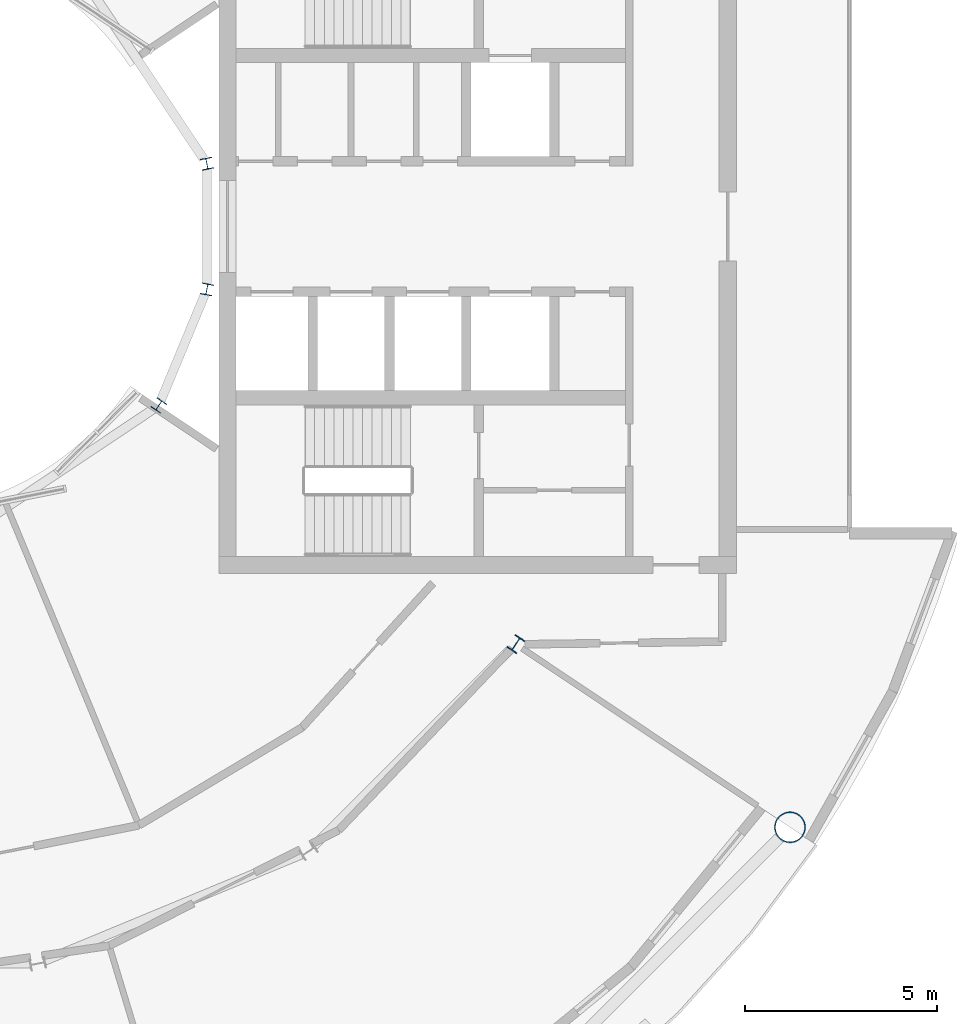
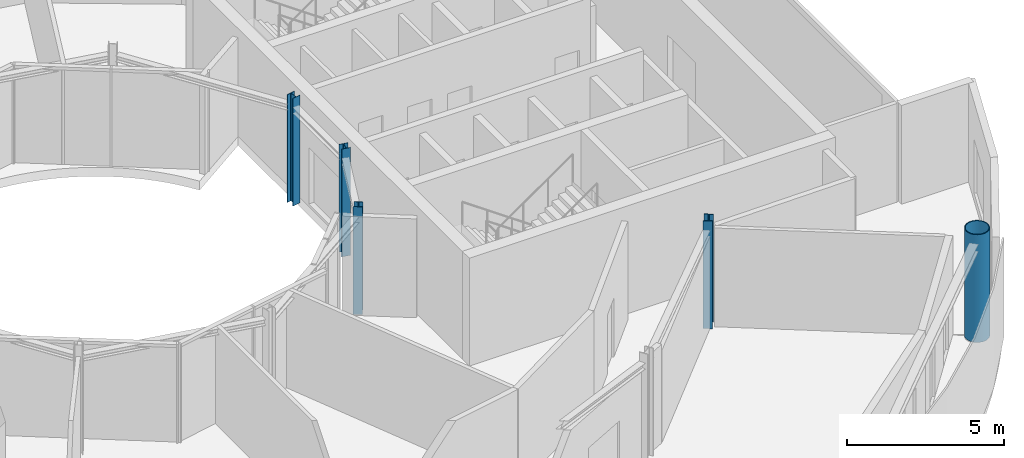
# One storey, part 3 of 22: 5 columns.
"""IFC4 building model written with IfcOpenShell, lengths in metres."""

from ifc_helpers import new_model, si_unit, direction, frame, origin, origin_2d, place, context, subcontext, project, spatial, hollow_circle, i_section, extrude, material, material_profile, profile_set, type_object, element, save


model = new_model("IFC4")

# Units and contexts
model_context = context("Model", 3, precision=1e-05, world=origin(), true_north=direction((0.0, 1.0)))
body_context = subcontext(model_context, "Body", "Model", "MODEL_VIEW")
ifc_project = project(units=[si_unit("LENGTHUNIT", "METRE"), si_unit("AREAUNIT", "SQUARE_METRE"), si_unit("VOLUMEUNIT", "CUBIC_METRE"), si_unit("PLANEANGLEUNIT", "RADIAN"), si_unit("MASSUNIT", "GRAM", prefix="KILO")], contexts=[model_context])

# Site, building, storey
site_placement = place(None, origin())
site = spatial("IfcSite", under=ifc_project, at=site_placement, CompositionType="ELEMENT")
building_placement = place(site_placement, origin())
building = spatial("IfcBuilding", under=site, at=building_placement, Name="Maasbend Ring Residences", CompositionType="ELEMENT")
storey_placement = place(building_placement, frame((0.0, 0.0, 208.5)))
storey = spatial("IfcBuildingStorey", under=building, at=storey_placement, Name="L60", CompositionType="ELEMENT", Elevation=208.5)

# Columns
ifc_material_1 = material(Name="Composite concrete-filled steel tube S460NH / C80/95", Category="concrete")
ifc_material_profile_1 = material_profile(ifc_material_1, hollow_circle(Radius=0.406494140625, WallThickness=0.030029296875, at=origin_2d()), Name="Composite tube column CHS 813x30")
ifc_profile_set_1 = profile_set([ifc_material_profile_1], Name="Composite concrete-filled steel tube S460NH / C80/95")
column_type_1 = type_object("IfcColumnType", Name="Composite tube column CHS 813x30", PredefinedType="COLUMN", material=ifc_profile_set_1)
column_1_placement = place(storey_placement, frame((23.447509765625, -15.6669921875, 0.0), z_axis=(0.0, 0.0, 1.0), x_axis=(1.0, 0.0, 0.0)))
element("IfcColumn", 1, at=column_1_placement, inside=storey, type_object=column_type_1, Name="Outer column R15", PredefinedType="COLUMN", context=body_context, shape_type="SweptSolid", body=[
    extrude(hollow_circle(Radius=0.406494140625, WallThickness=0.030029296875, at=origin_2d()), origin(), (0.0, 0.0, 1.0), 4.199951171875),
])
ifc_material_2 = material(Name="Steel S355J2", Category="steel")
ifc_material_profile_2 = material_profile(ifc_material_2, i_section(OverallWidth=0.300048828125, OverallDepth=0.2900390625, WebThickness=0.008544921875, FlangeThickness=0.013916015625, FilletRadius=0.027099609375, at=origin_2d()), Name="HEA 300")
ifc_profile_set_2 = profile_set([ifc_material_profile_2], Name="Steel S355J2")
column_type_2 = type_object("IfcColumnType", Name="Steel column HEA 300", PredefinedType="COLUMN", material=ifc_profile_set_2)
for number, where, z_axis, x_axis, name in (
    (2, (8.238525390625, 1.638916015625, 0.0), (0.0, 0.0, 1.0), (0.980785280403, 0.195090322016, 0.0), "Well ring column R1"),
    (3, (6.984375, -4.666748046875, 0.0), (0.0, 0.0, 1.0), (0.831469612303, -0.55557023302, 0.0), "Well ring column R15"),
    (4, (8.238525390625, -1.638916015625, 0.0), (0.0, 0.0, 1.0), (0.980785280403, -0.195090322016, 0.0), "Well ring column R16"),
):
    element("IfcColumn", number, at=place(storey_placement, frame(where, z_axis=z_axis, x_axis=x_axis)), inside=storey, type_object=column_type_2, Name=name, PredefinedType="COLUMN", context=body_context, shape_type="SweptSolid", body=[
        extrude(i_section(OverallWidth=0.300048828125, OverallDepth=0.2900390625, WebThickness=0.008544921875, FlangeThickness=0.013916015625, FilletRadius=0.027099609375, at=origin_2d()), origin(), (0.0, 0.0, 1.0), 4.199951171875),
    ])
ifc_material_3 = material(Name="Steel S355J2", Category="steel")
ifc_material_profile_3 = material_profile(ifc_material_3, i_section(OverallWidth=0.300048828125, OverallDepth=0.39990234375, WebThickness=0.013427734375, FlangeThickness=0.02392578125, FilletRadius=0.027099609375, at=origin_2d()), Name="HEB 400")
ifc_profile_set_3 = profile_set([ifc_material_profile_3], Name="Steel S355J2")
column_type_3 = type_object("IfcColumnType", Name="Steel column HEB 400", PredefinedType="COLUMN", material=ifc_profile_set_3)
column_2_placement = place(storey_placement, frame((16.296875, -10.88916015625, 0.0), z_axis=(0.0, 0.0, 1.0), x_axis=(0.831469612303, -0.55557023302, 0.0)))
element("IfcColumn", 5, at=column_2_placement, inside=storey, type_object=column_type_3, Name="Corridor ring column R15", PredefinedType="COLUMN", context=body_context, shape_type="SweptSolid", body=[
    extrude(i_section(OverallWidth=0.300048828125, OverallDepth=0.39990234375, WebThickness=0.013427734375, FlangeThickness=0.02392578125, FilletRadius=0.027099609375, at=origin_2d()), origin(), (0.0, 0.0, 1.0), 4.199951171875),
])

save(model, "model.ifc")
